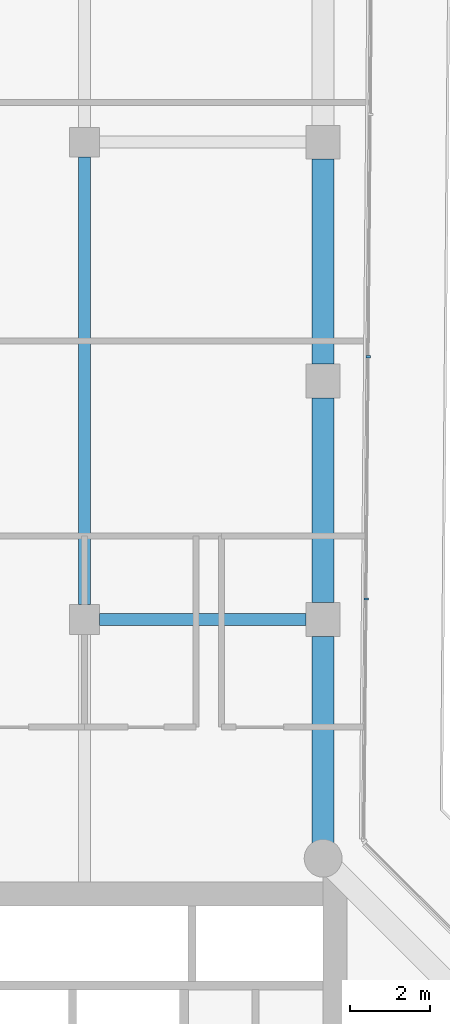
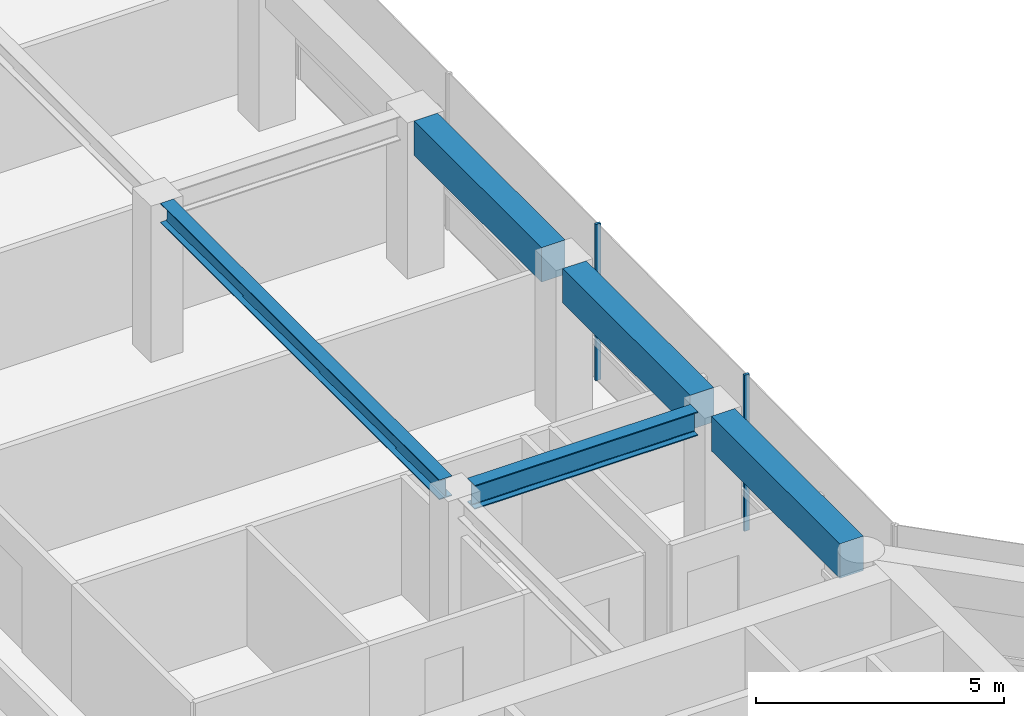
# One storey, part 8 of 19: 5 beams, 2 members, 1 element without a shape of its own.
"""IFC4 building model written with IfcOpenShell, lengths in metres."""

from ifc_helpers import new_model, si_unit, direction, frame, origin, origin_2d, place, context, subcontext, project, spatial, rectangle, i_section, extrude, material, layer, layer_set, material_profile, profile_set, type_object, element, aggregate, save


model = new_model("IFC4")

# Units and contexts
model_context = context("Model", 3, precision=1e-05, world=origin(), true_north=direction((0.0, 1.0)))
body_context = subcontext(model_context, "Body", "Model", "MODEL_VIEW")
ifc_project = project(units=[si_unit("LENGTHUNIT", "METRE"), si_unit("AREAUNIT", "SQUARE_METRE"), si_unit("VOLUMEUNIT", "CUBIC_METRE"), si_unit("PLANEANGLEUNIT", "RADIAN"), si_unit("MASSUNIT", "GRAM", prefix="KILO")], contexts=[model_context])

# Site, building, storey
site_placement = place(None, origin())
site = spatial("IfcSite", under=ifc_project, at=site_placement, CompositionType="ELEMENT")
building_placement = place(site_placement, origin())
building = spatial("IfcBuilding", under=site, at=building_placement, Name="Welwitschia Terrace Campus", CompositionType="ELEMENT")
storey_placement = place(building_placement, frame((0.0, 0.0, 167.60009765625)))
storey = spatial("IfcBuildingStorey", under=building, at=storey_placement, Name="L37", CompositionType="ELEMENT", Elevation=167.60009765625)

# Beam
ifc_material_1 = material(Name="Steel S355", Category="steel")
ifc_material_profile_1 = material_profile(ifc_material_1, i_section(OverallWidth=0.300048828125, OverallDepth=0.489990234375, WebThickness=0.011962890625, FlangeThickness=0.02294921875, FilletRadius=0.027099609375, at=origin_2d()))
ifc_profile_set_1 = profile_set([ifc_material_profile_1], Name="Steel S355")
beam_type_1 = type_object("IfcBeamType", Name="Interior girder HE 500 A", PredefinedType="BEAM", material=ifc_profile_set_1)
beam_1_placement = place(storey_placement, frame((18.0, 32.37548828125, 3.60498046875), z_axis=(0.0, 1.0, 0.0), x_axis=(-1.0, 0.0, 0.0)))
element("IfcBeam", 1, at=beam_1_placement, inside=storey, type_object=beam_type_1, Name="Girder GB4", PredefinedType="BEAM", context=body_context, shape_type="SweptSolid", body=[
    extrude(i_section(OverallWidth=0.300048828125, OverallDepth=0.489990234375, WebThickness=0.011962890625, FlangeThickness=0.02294921875, FilletRadius=0.027099609375, at=origin_2d()), origin(), (0.0, 0.0, 1.0), 11.2490234375),
])

# Curtain wall, members
ifc_material_2 = material(Name="Bronze anodised aluminium", Category="aluminium")
ifc_layer = layer(ifc_material_2, 0.1201171875)
ifc_layer_set = layer_set([ifc_layer], Name="Bronze anodised aluminium")
curtain_wall_type = type_object("IfcCurtainWallType", Name="Curtain wall CW2 tower 6000", PredefinedType="NOTDEFINED", material=ifc_layer_set)
curtain_wall_placement = place(storey_placement, origin())
curtain_wall = element("IfcCurtainWall", 2, at=curtain_wall_placement, inside=storey, type_object=curtain_wall_type, Name="CW L37.11.0", PredefinedType="NOTDEFINED")
ifc_material_3 = material(Name="Bronze anodised aluminium", Category="aluminium")
ifc_material_profile_2 = material_profile(ifc_material_3, rectangle(XDim=0.1201171875, YDim=0.06005859375, at=origin_2d()))
ifc_profile_set_2 = profile_set([ifc_material_profile_2], Name="Bronze anodised aluminium")
member_type = type_object("IfcMemberType", Name="Mullion 60x120", PredefinedType="MULLION", material=ifc_profile_set_2)
member_1_placement = place(storey_placement, frame((25.083251953125, 32.51708984375, 0.0), z_axis=(0.0, 0.0, 1.0), x_axis=(-0.999961923064, 0.008726535498, 0.0)))
member_1 = element("IfcMember", 3, at=member_1_placement, type_object=member_type, Name="Mullion L37.11.0.1", PredefinedType="MULLION", context=body_context, shape_type="SweptSolid", body=[
    extrude(rectangle(XDim=0.1201171875, YDim=0.06005859375, at=origin_2d()), origin(), (0.0, 0.0, 1.0), 3.849853515625),
])
member_2_placement = place(storey_placement, frame((25.136474609375, 38.607421875, 0.0), z_axis=(0.0, 0.0, 1.0), x_axis=(-0.999961923064, 0.008726535498, 0.0)))
member_2 = element("IfcMember", 4, at=member_2_placement, type_object=member_type, Name="Mullion L37.11.0.2", PredefinedType="MULLION", context=body_context, shape_type="SweptSolid", body=[
    extrude(rectangle(XDim=0.1201171875, YDim=0.06005859375, at=origin_2d()), origin(), (0.0, 0.0, 1.0), 3.849853515625),
])
aggregate(curtain_wall, [member_1, member_2])

# Beams
ifc_material_4 = material(Name="Steel S355", Category="steel")
ifc_material_profile_3 = material_profile(ifc_material_4, i_section(OverallWidth=0.300048828125, OverallDepth=0.590087890625, WebThickness=0.012939453125, FlangeThickness=0.02490234375, FilletRadius=0.027099609375, at=origin_2d()))
ifc_profile_set_3 = profile_set([ifc_material_profile_3], Name="Steel S355")
beam_type_2 = type_object("IfcBeamType", Name="Primary beam HE 600 A", PredefinedType="BEAM", material=ifc_profile_set_3)
beam_2_placement = place(storey_placement, frame((23.574462890625, 32.0, 3.554931640625), z_axis=(-1.0, 0.0, 0.0), x_axis=(0.0, -1.0, 0.0)))
element("IfcBeam", 5, at=beam_2_placement, inside=storey, type_object=beam_type_2, Name="Primary beam PB4", PredefinedType="BEAM", context=body_context, shape_type="SweptSolid", body=[
    extrude(i_section(OverallWidth=0.300048828125, OverallDepth=0.590087890625, WebThickness=0.012939453125, FlangeThickness=0.02490234375, FilletRadius=0.027099609375, at=origin_2d()), origin(), (0.0, 0.0, 1.0), 5.198974609375),
])
ifc_material_5 = material(Name="Concrete C50/60", Category="concrete")
ifc_material_profile_4 = material_profile(ifc_material_5, rectangle(XDim=0.550048828125, YDim=0.85009765625, at=origin_2d()))
ifc_profile_set_4 = profile_set([ifc_material_profile_4], Name="Concrete C50/60")
beam_type_3 = type_object("IfcBeamType", Name="Ring spandrel 550x850", PredefinedType="SPANDREL", material=ifc_profile_set_4)
beam_3_placement = place(storey_placement, frame((24.0, 26.387939453125, 3.4248046875), z_axis=(0.0, 1.0, 0.0), x_axis=(-1.0, 0.0, 0.0)))
element("IfcBeam", 6, at=beam_3_placement, inside=storey, type_object=beam_type_3, Name="Spandrel SP3", PredefinedType="SPANDREL", context=body_context, shape_type="SweptSolid", body=[
    extrude(rectangle(XDim=0.550048828125, YDim=0.85009765625, at=origin_2d()), origin(), (0.0, 0.0, 1.0), 5.1865234375),
])
for number, where, z_axis, x_axis, name in (
    (7, (24.0, 32.425537109375, 3.4248046875), (0.0, 1.0, 0.0), (-1.0, 0.0, 0.0), "Spandrel SP3"),
    (8, (24.0, 38.425537109375, 3.4248046875), (0.0, 1.0, 0.0), (-1.0, 0.0, 0.0), "Spandrel SP3"),
):
    element("IfcBeam", number, at=place(storey_placement, frame(where, z_axis=z_axis, x_axis=x_axis)), inside=storey, type_object=beam_type_3, Name=name, PredefinedType="SPANDREL", context=body_context, shape_type="SweptSolid", body=[
        extrude(rectangle(XDim=0.550048828125, YDim=0.85009765625, at=origin_2d()), origin(), (0.0, 0.0, 1.0), 5.14892578125),
    ])

save(model, "model.ifc")
